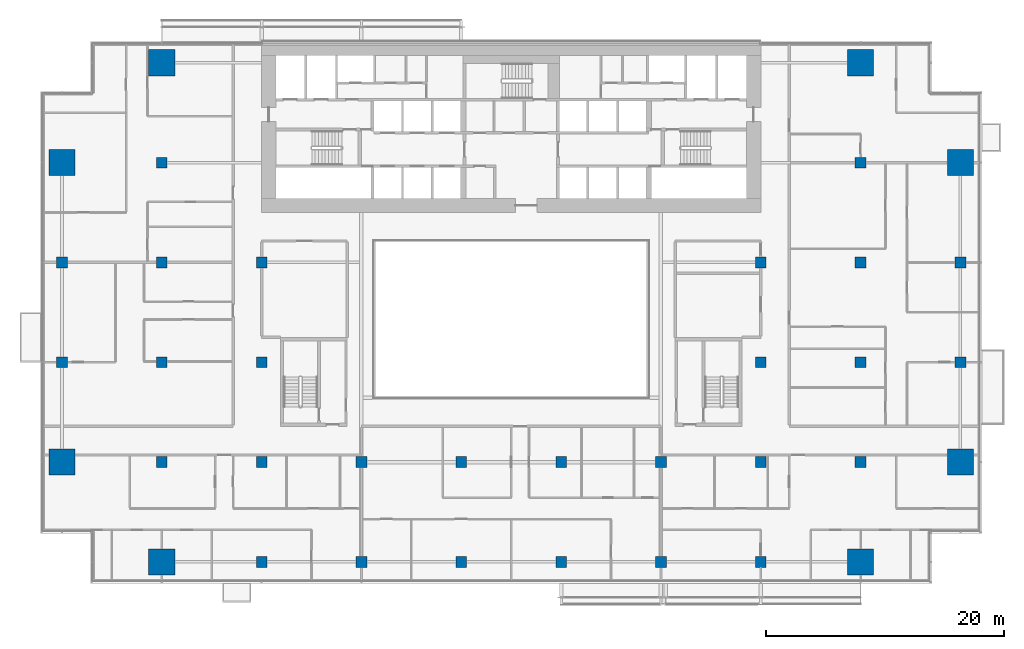
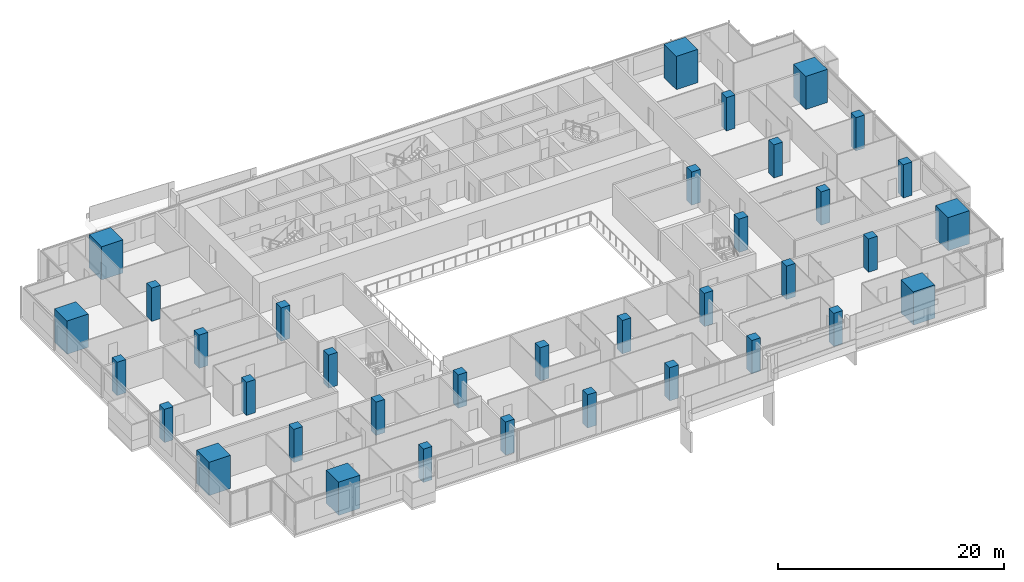
# One storey, part 1 of 27: 36 columns.
"""IFC4 building model written with IfcOpenShell, lengths in metres."""

from ifc_helpers import new_model, si_unit, direction, frame, origin, origin_2d, place, context, subcontext, project, spatial, rectangle, extrude, material, material_profile, profile_set, type_object, element, save


model = new_model("IFC4")

# Units and contexts
model_context = context("Model", 3, precision=1e-05, world=origin(), true_north=direction((0.0, 1.0)))
body_context = subcontext(model_context, "Body", "Model", "MODEL_VIEW")
ifc_project = project(units=[si_unit("LENGTHUNIT", "METRE"), si_unit("AREAUNIT", "SQUARE_METRE"), si_unit("VOLUMEUNIT", "CUBIC_METRE"), si_unit("PLANEANGLEUNIT", "RADIAN"), si_unit("MASSUNIT", "GRAM", prefix="KILO")], contexts=[model_context])

# Site, building, storey
site_placement = place(None, origin())
site = spatial("IfcSite", under=ifc_project, at=site_placement, CompositionType="ELEMENT")
building_placement = place(site_placement, origin())
building = spatial("IfcBuilding", under=site, at=building_placement, Name="Saffron Gate Tower", CompositionType="ELEMENT")
storey_placement = place(building_placement, frame((0.0, 0.0, 66.0)))
storey = spatial("IfcBuildingStorey", under=building, at=storey_placement, Name="L15", CompositionType="ELEMENT", Elevation=66.0)

# Columns
ifc_material_1 = material(Name="Concrete C60", Category="concrete")
ifc_material_profile_1 = material_profile(ifc_material_1, rectangle(XDim=0.89990234375, YDim=0.89990234375, at=origin_2d()))
ifc_profile_set_1 = profile_set([ifc_material_profile_1], Name="Concrete C60")
column_type_1 = type_object("IfcColumnType", Name="C6 RC 900x900 CONCRETE C60", PredefinedType="COLUMN", material=ifc_profile_set_1)
for number, where, z_axis, x_axis, name in (
    (1, (49.800048828125, 48.60009765625, 0.0), (0.0, 0.0, 1.0), (1.0, 0.0, 0.0), "C6 COLUMN X1-C"),
    (2, (49.800048828125, 57.0, 0.0), (0.0, 0.0, 1.0), (1.0, 0.0, 0.0), "C6 COLUMN X1-D"),
    (3, (58.199951171875, 40.199951171875, 0.0), (0.0, 0.0, 1.0), (1.0, 0.0, 0.0), "C6 COLUMN X2-B"),
    (4, (58.199951171875, 48.60009765625, 0.0), (0.0, 0.0, 1.0), (1.0, 0.0, 0.0), "C6 COLUMN X2-C"),
    (5, (58.199951171875, 57.0, 0.0), (0.0, 0.0, 1.0), (1.0, 0.0, 0.0), "C6 COLUMN X2-D"),
    (6, (58.199951171875, 65.39990234375, 0.0), (0.0, 0.0, 1.0), (1.0, 0.0, 0.0), "C6 COLUMN X2-E"),
    (7, (66.60009765625, 31.800048828125, 0.0), (0.0, 0.0, 1.0), (1.0, 0.0, 0.0), "C6 COLUMN X3-A"),
    (8, (66.60009765625, 40.199951171875, 0.0), (0.0, 0.0, 1.0), (1.0, 0.0, 0.0), "C6 COLUMN X3-B"),
    (9, (66.60009765625, 48.60009765625, 0.0), (0.0, 0.0, 1.0), (1.0, 0.0, 0.0), "C6 COLUMN X3-C"),
    (10, (66.60009765625, 57.0, 0.0), (0.0, 0.0, 1.0), (1.0, 0.0, 0.0), "C6 COLUMN X3-D"),
    (11, (75.0, 31.800048828125, 0.0), (0.0, 0.0, 1.0), (1.0, 0.0, 0.0), "C6 COLUMN X4-A"),
    (12, (75.0, 40.199951171875, 0.0), (0.0, 0.0, 1.0), (1.0, 0.0, 0.0), "C6 COLUMN X4-B"),
    (13, (83.39990234375, 31.800048828125, 0.0), (0.0, 0.0, 1.0), (1.0, 0.0, 0.0), "C6 COLUMN X5-A"),
    (14, (83.39990234375, 40.199951171875, 0.0), (0.0, 0.0, 1.0), (1.0, 0.0, 0.0), "C6 COLUMN X5-B"),
    (15, (91.800048828125, 31.800048828125, 0.0), (0.0, 0.0, 1.0), (1.0, 0.0, 0.0), "C6 COLUMN X6-A"),
    (16, (91.800048828125, 40.199951171875, 0.0), (0.0, 0.0, 1.0), (1.0, 0.0, 0.0), "C6 COLUMN X6-B"),
    (17, (100.199951171875, 31.800048828125, 0.0), (0.0, 0.0, 1.0), (1.0, 0.0, 0.0), "C6 COLUMN X7-A"),
    (18, (100.199951171875, 40.199951171875, 0.0), (0.0, 0.0, 1.0), (1.0, 0.0, 0.0), "C6 COLUMN X7-B"),
    (19, (108.60009765625, 31.800048828125, 0.0), (0.0, 0.0, 1.0), (1.0, 0.0, 0.0), "C6 COLUMN X8-A"),
    (20, (108.60009765625, 40.199951171875, 0.0), (0.0, 0.0, 1.0), (1.0, 0.0, 0.0), "C6 COLUMN X8-B"),
    (21, (108.60009765625, 48.60009765625, 0.0), (0.0, 0.0, 1.0), (1.0, 0.0, 0.0), "C6 COLUMN X8-C"),
    (22, (108.60009765625, 57.0, 0.0), (0.0, 0.0, 1.0), (1.0, 0.0, 0.0), "C6 COLUMN X8-D"),
    (23, (117.0, 40.199951171875, 0.0), (0.0, 0.0, 1.0), (1.0, 0.0, 0.0), "C6 COLUMN X9-B"),
    (24, (117.0, 48.60009765625, 0.0), (0.0, 0.0, 1.0), (1.0, 0.0, 0.0), "C6 COLUMN X9-C"),
    (25, (117.0, 57.0, 0.0), (0.0, 0.0, 1.0), (1.0, 0.0, 0.0), "C6 COLUMN X9-D"),
    (26, (117.0, 65.39990234375, 0.0), (0.0, 0.0, 1.0), (1.0, 0.0, 0.0), "C6 COLUMN X9-E"),
    (27, (125.39990234375, 48.60009765625, 0.0), (0.0, 0.0, 1.0), (1.0, 0.0, 0.0), "C6 COLUMN X10-C"),
    (28, (125.39990234375, 57.0, 0.0), (0.0, 0.0, 1.0), (1.0, 0.0, 0.0), "C6 COLUMN X10-D"),
):
    element("IfcColumn", number, at=place(storey_placement, frame(where, z_axis=z_axis, x_axis=x_axis)), inside=storey, type_object=column_type_1, Name=name, PredefinedType="COLUMN", context=body_context, shape_type="SweptSolid", body=[
        extrude(rectangle(XDim=0.89990234375, YDim=0.89990234375, at=origin_2d()), origin(), (0.0, 0.0, 1.0), 3.60009765625),
    ])
ifc_material_2 = material(Name="Concrete C80", Category="concrete")
ifc_material_profile_2 = material_profile(ifc_material_2, rectangle(XDim=2.199951171875, YDim=2.199951171875, at=origin_2d()))
ifc_profile_set_2 = profile_set([ifc_material_profile_2], Name="Concrete C80")
column_type_2 = type_object("IfcColumnType", Name="MC4 RC 2200x2200 CONCRETE C80", PredefinedType="COLUMN", material=ifc_profile_set_2)
for number, where, z_axis, x_axis, name in (
    (29, (49.800048828125, 40.199951171875, 0.0), (0.0, 0.0, 1.0), (1.0, 0.0, 0.0), "MC4 MEGA COLUMN X1-B"),
    (30, (49.800048828125, 65.39990234375, 0.0), (0.0, 0.0, 1.0), (1.0, 0.0, 0.0), "MC4 MEGA COLUMN X1-E"),
    (31, (58.199951171875, 31.800048828125, 0.0), (0.0, 0.0, 1.0), (1.0, 0.0, 0.0), "MC4 MEGA COLUMN X2-A"),
    (32, (58.199951171875, 73.800048828125, 0.0), (0.0, 0.0, 1.0), (1.0, 0.0, 0.0), "MC4 MEGA COLUMN X2-F"),
    (33, (117.0, 31.800048828125, 0.0), (0.0, 0.0, 1.0), (1.0, 0.0, 0.0), "MC4 MEGA COLUMN X9-A"),
    (34, (117.0, 73.800048828125, 0.0), (0.0, 0.0, 1.0), (1.0, 0.0, 0.0), "MC4 MEGA COLUMN X9-F"),
    (35, (125.39990234375, 40.199951171875, 0.0), (0.0, 0.0, 1.0), (1.0, 0.0, 0.0), "MC4 MEGA COLUMN X10-B"),
    (36, (125.39990234375, 65.39990234375, 0.0), (0.0, 0.0, 1.0), (1.0, 0.0, 0.0), "MC4 MEGA COLUMN X10-E"),
):
    element("IfcColumn", number, at=place(storey_placement, frame(where, z_axis=z_axis, x_axis=x_axis)), inside=storey, type_object=column_type_2, Name=name, PredefinedType="COLUMN", context=body_context, shape_type="SweptSolid", body=[
        extrude(rectangle(XDim=2.199951171875, YDim=2.199951171875, at=origin_2d()), origin(), (0.0, 0.0, 1.0), 3.60009765625),
    ])

save(model, "model.ifc")
